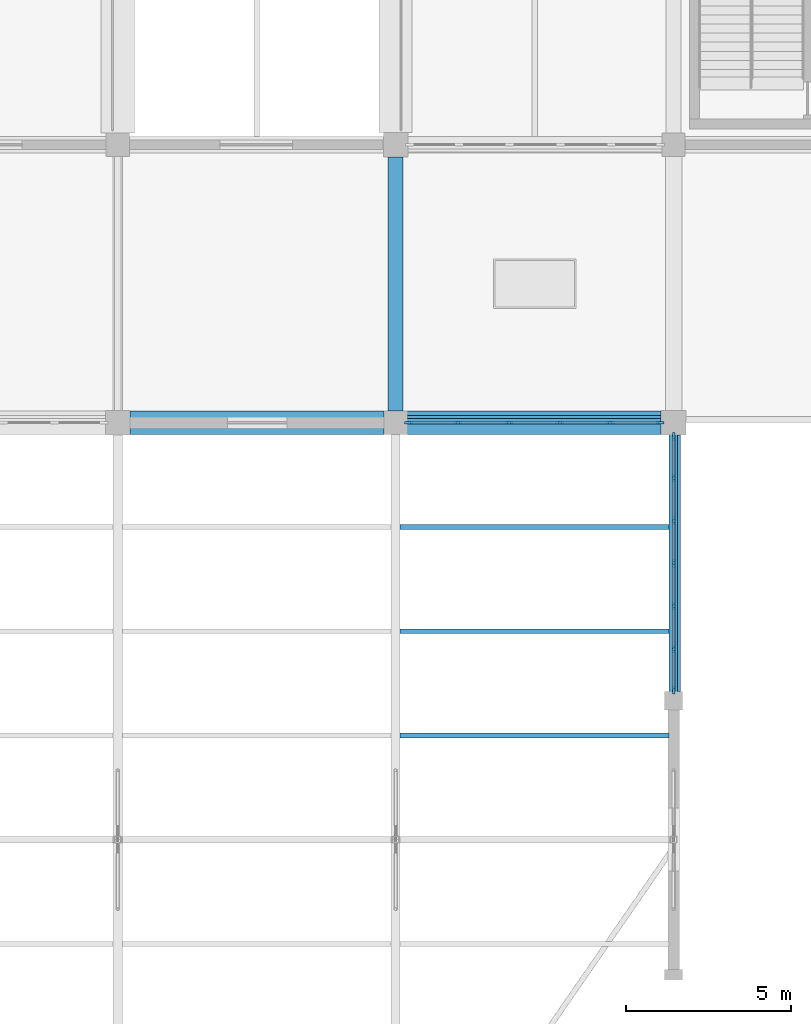
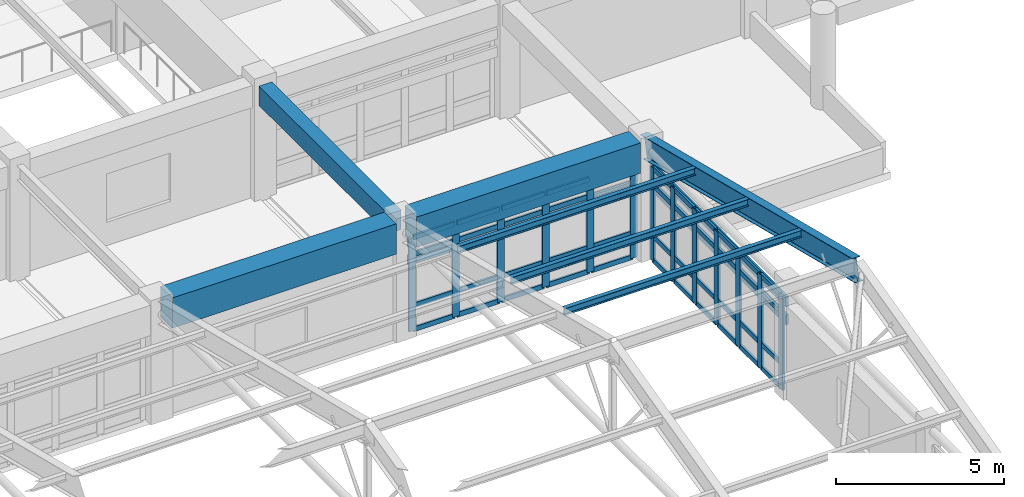
# One storey, part 18 of 99: 62 members, 4 beams, 2 elements without a shape of their own.
"""IFC4 building model written with IfcOpenShell, lengths in metres."""

import ifcopenshell
import ifcopenshell.guid

model = None  # the IFC model being written
_history = None  # IfcOwnerHistory: only IFC2X3 demands one
_inside = {}  # id of a spatial element -> (the spatial element, [elements in it])
_under = {}  # id of a project, library or spatial element -> (it, [spatial elements below it])
_declared = {}  # id of a project -> (the project, [libraries it declares])
_typed = {}  # id of a type object -> (the type object, [elements of that type])
_made_of = {}  # id of a material, layer set ... -> (it, [elements and type objects made of it])


def new_model(schema):
    """Start an empty IFC model of exactly this schema.

    Asked for "IFC4X3", IfcOpenShell would pick the latest addendum, in which some entities
    have other attributes; the version numbers below select the first issue.
    IFC2X3 requires an IfcOwnerHistory on every rooted entity: one is made here for all.
    """
    global model, _history
    if schema == "IFC4X3":
        model = ifcopenshell.file(schema_version=(4, 3, 0, 0))
    else:
        model = ifcopenshell.file(schema=schema)
    _inside.clear()
    _under.clear()
    _declared.clear()
    _typed.clear()
    _made_of.clear()
    _history = None
    if model.schema == "IFC2X3":
        org = make("IfcOrganization", Name="unknown")
        user = make(
            "IfcPersonAndOrganization",
            ThePerson=make("IfcPerson", FamilyName="unknown"),
            TheOrganization=org,
        )
        app = make(
            "IfcApplication",
            ApplicationDeveloper=org,
            Version="unknown",
            ApplicationFullName="unknown",
            ApplicationIdentifier="unknown",
        )
        _history = make(
            "IfcOwnerHistory",
            OwningUser=user,
            OwningApplication=app,
            ChangeAction="ADDED",
            CreationDate=0,
        )
    return model


def make(cls, **values):
    """One entity of the class cls with the attributes given. An attribute that is None is left unset."""
    return model.create_entity(
        cls, **{name: value for name, value in values.items() if value is not None}
    )


def rooted(cls, **values):
    """An entity with a GlobalId (a new one), such as an element, a storey or a relation."""
    return make(cls, GlobalId=ifcopenshell.guid.new(), OwnerHistory=_history, **values)


def si_unit(unit_type, name, prefix=None):
    """IfcSIUnit, for example si_unit("LENGTHUNIT", "METRE", prefix="MILLI")."""
    return make("IfcSIUnit", UnitType=unit_type, Prefix=prefix, Name=name)


def assignment(units):
    """IfcUnitAssignment: the units of a project."""
    return None if units is None else make("IfcUnitAssignment", Units=units)


def point(xyz):
    """IfcCartesianPoint."""
    return None if xyz is None else make("IfcCartesianPoint", Coordinates=xyz)


def direction(xyz):
    """IfcDirection."""
    return None if xyz is None else make("IfcDirection", DirectionRatios=xyz)


def frame(location, z_axis=None, x_axis=None):
    """IfcAxis2Placement3D, a coordinate frame: its origin and axes. An axis left out is left unset."""
    return make(
        "IfcAxis2Placement3D",
        Location=point(location),
        Axis=direction(z_axis),
        RefDirection=direction(x_axis),
    )


def frame_2d(location, x_axis=None):
    """IfcAxis2Placement2D, a coordinate frame in the plane: its origin and x axis."""
    return make(
        "IfcAxis2Placement2D", Location=point(location), RefDirection=direction(x_axis)
    )


def origin():
    """The frame at (0, 0, 0) with its axes left unset."""
    return frame((0.0, 0.0, 0.0))


def origin_2d():
    """The frame at (0, 0) in the plane with its x axis left unset."""
    return frame_2d((0.0, 0.0))


def place(relative_to, where):
    """IfcLocalPlacement: puts the frame where relative to a parent placement (None: the world)."""
    return make(
        "IfcLocalPlacement", PlacementRelTo=relative_to, RelativePlacement=where
    )


def context(
    kind, dimensions, precision=None, world=None, true_north=None, identifier=None
):
    """IfcGeometricRepresentationContext, for example the 3D "Model" context."""
    return make(
        "IfcGeometricRepresentationContext",
        ContextIdentifier=identifier,
        ContextType=kind,
        CoordinateSpaceDimension=dimensions,
        Precision=precision,
        WorldCoordinateSystem=world,
        TrueNorth=true_north,
    )


def subcontext(parent, identifier, kind, view, scale=None):
    """IfcGeometricRepresentationSubContext, for example "Body" below "Model"."""
    return make(
        "IfcGeometricRepresentationSubContext",
        ContextIdentifier=identifier,
        ContextType=kind,
        ParentContext=parent,
        TargetScale=scale,
        TargetView=view,
    )


def project(units=None, contexts=None):
    """IfcProject with its units and contexts."""
    return rooted(
        "IfcProject",
        Name="project",
        RepresentationContexts=contexts,
        UnitsInContext=assignment(units),
    )


def spatial(cls, under=None, at=None, **own):
    """A site, building, storey or space (cls), placed at a placement, below another one or the project."""
    s = rooted(cls, ObjectPlacement=at, **own)
    if under is not None:
        _under.setdefault(under.id(), (under, []))[1].append(s)
    return s


def profile(cls, at=None, kind="AREA", **sizes):
    """A parametric profile (cls). Its sizes go by their IFC names, for example OverallWidth=200.0."""
    return make(cls, ProfileType=kind, Position=at, **sizes)


def rectangle(**sizes):
    """IfcRectangleProfileDef."""
    return profile("IfcRectangleProfileDef", **sizes)


def i_section(**sizes):
    """IfcIShapeProfileDef."""
    return profile("IfcIShapeProfileDef", **sizes)


def extrude(swept, where, along, depth):
    """IfcExtrudedAreaSolid: the profile swept, set in the frame where, extruded along a direction by depth."""
    return make(
        "IfcExtrudedAreaSolid",
        SweptArea=swept,
        Position=where,
        ExtrudedDirection=direction(along),
        Depth=depth,
    )


def shape(context_of_items, identifier, shape_type, items):
    """IfcShapeRepresentation: the items that make up one representation, for example the "Body"."""
    return make(
        "IfcShapeRepresentation",
        ContextOfItems=context_of_items,
        RepresentationIdentifier=identifier,
        RepresentationType=shape_type,
        Items=items,
    )


def material(Name=None, Category=None):
    """IfcMaterial."""
    return make("IfcMaterial", Name=Name, Category=Category)


def layer(
    of_material, thickness, ventilated=None, Name=None, Category=None, Priority=None
):
    """IfcMaterialLayer: one layer of a wall or slab, of a material (None: an air gap)."""
    return make(
        "IfcMaterialLayer",
        Material=of_material,
        LayerThickness=thickness,
        IsVentilated=ventilated,
        Name=Name,
        Category=Category,
        Priority=Priority,
    )


def layer_set(layers, Name=None):
    """IfcMaterialLayerSet."""
    return make("IfcMaterialLayerSet", MaterialLayers=layers, LayerSetName=Name)


def material_profile(
    of_material, cross_section, Name=None, Category=None, Priority=None
):
    """IfcMaterialProfile: a cross section and its material."""
    return make(
        "IfcMaterialProfile",
        Name=Name,
        Material=of_material,
        Profile=cross_section,
        Priority=Priority,
        Category=Category,
    )


def profile_set(profiles, Name=None, composite=None):
    """IfcMaterialProfileSet."""
    return make(
        "IfcMaterialProfileSet",
        Name=Name,
        MaterialProfiles=profiles,
        CompositeProfile=composite,
    )


def made_of(thing, what):
    """Note that an element or type object is made of a material, layer set ...; save() writes the relation."""
    if what is not None:
        _made_of.setdefault(what.id(), (what, []))[1].append(thing)
    return thing


def type_object(cls, material=None, **own):
    """A type object (cls), such as IfcWallType, which elements share."""
    return made_of(rooted(cls, **own), material)


def element(
    cls,
    number,
    at=None,
    inside=None,
    cuts=None,
    type_object=None,
    material=None,
    context=None,
    identifier="Body",
    shape_type=None,
    held_by="IfcProductDefinitionShape",
    body=None,
    shapes=None,
    **own,
):
    """One element of the class cls, such as IfcWall. Its Tag is "e" and its number.

    at: its placement. inside: the storey or other place that contains it. cuts: it is an
    opening in that element (IfcRelVoidsElement). A single representation is given by context,
    identifier, shape_type and body (its items); several are given by shapes. held_by: the class
    of the entity that holds the representations. save() writes the other relations.
    """
    e = rooted(cls, Tag="e%d" % number, ObjectPlacement=at, **own)
    if body is not None:
        shapes = [shape(context, identifier, shape_type, body)]
    if shapes is not None:
        e.Representation = make(held_by, Representations=shapes)
    if inside is not None:
        _inside.setdefault(inside.id(), (inside, []))[1].append(e)
    if cuts is not None:
        rooted(
            "IfcRelVoidsElement", RelatingBuildingElement=cuts, RelatedOpeningElement=e
        )
    if type_object is not None:
        _typed.setdefault(type_object.id(), (type_object, []))[1].append(e)
    return made_of(e, material)


def aggregate(whole, parts):
    """IfcRelAggregates: a whole, such as a stair, and the parts it consists of."""
    return rooted("IfcRelAggregates", RelatingObject=whole, RelatedObjects=parts)


def save(model, path):
    """Write the relations noted so far, then the file.

    IfcRelAggregates (storeys below a building ...), IfcRelContainedInSpatialStructure (elements
    in a storey), IfcRelDefinesByType, IfcRelAssociatesMaterial and IfcRelDeclares: one each for
    every whole, place, type object, material and project.
    """
    for whole, parts in _under.values():
        aggregate(whole, parts)
    for where, things in _inside.values():
        rooted(
            "IfcRelContainedInSpatialStructure",
            RelatedElements=things,
            RelatingStructure=where,
        )
    for kind, things in _typed.values():
        rooted("IfcRelDefinesByType", RelatedObjects=things, RelatingType=kind)
    for what, things in _made_of.values():
        rooted("IfcRelAssociatesMaterial", RelatedObjects=things, RelatingMaterial=what)
    for by, libraries in _declared.values():
        rooted("IfcRelDeclares", RelatingContext=by, RelatedDefinitions=libraries)
    model.write(path)


model = new_model("IFC4")

# Units and contexts
model_context = context("Model", 3, precision=1e-05, world=origin(), true_north=direction((0.0, 1.0)))
body_context = subcontext(model_context, "Body", "Model", "MODEL_VIEW")
ifc_project = project(units=[si_unit("LENGTHUNIT", "METRE"), si_unit("AREAUNIT", "SQUARE_METRE"), si_unit("VOLUMEUNIT", "CUBIC_METRE"), si_unit("PLANEANGLEUNIT", "RADIAN"), si_unit("MASSUNIT", "GRAM", prefix="KILO")], contexts=[model_context])

# Site, building, storey
site_placement = place(None, origin())
site = spatial("IfcSite", under=ifc_project, at=site_placement, CompositionType="ELEMENT")
building_placement = place(site_placement, origin())
building = spatial("IfcBuilding", under=site, at=building_placement, Name="Porcellanite Civic Hall", CompositionType="ELEMENT")
storey_placement = place(building_placement, frame((0.0, 0.0, 5.760009765625)))
storey = spatial("IfcBuildingStorey", under=building, at=storey_placement, Name="L01", CompositionType="ELEMENT", Elevation=5.760009765625)

# Beam
ifc_material_1 = material(Name="Concrete N50 (50 MPa)", Category="concrete")
ifc_material_profile_1 = material_profile(ifc_material_1, rectangle(XDim=0.449951171875, YDim=0.699951171875, at=origin_2d()), Name="RC-450x700")
ifc_profile_set_1 = profile_set([ifc_material_profile_1], Name="Concrete N50 (50 MPa)")
beam_type_1 = type_object("IfcBeamType", Name="BM-RC700", PredefinedType="BEAM", material=ifc_profile_set_1)
beam_1_placement = place(storey_placement, frame((100.800048828125, 42.349609375, 3.85009765625), z_axis=(0.0, 1.0, 0.0), x_axis=(-1.0, 0.0, 0.0)))
element("IfcBeam", 1, at=beam_1_placement, inside=storey, type_object=beam_type_1, Name="Beam Y L01 13-6", PredefinedType="BEAM", context=body_context, shape_type="SweptSolid", body=[
    extrude(rectangle(XDim=0.449951171875, YDim=0.699951171875, at=origin_2d()), origin(), (0.0, 0.0, 1.0), 7.67578125),
])

# Curtain wall, members
ifc_material_2 = material(Name="Anodised aluminium and solar laminated glass", Category="aluminium")
ifc_layer = layer(ifc_material_2, 0.179931640625)
ifc_layer_set = layer_set([ifc_layer], Name="Anodised aluminium and solar laminated glass")
curtain_wall_type = type_object("IfcCurtainWallType", Name="CW-SYS01", PredefinedType="NOTDEFINED", material=ifc_layer_set)
curtain_wall_1_placement = place(storey_placement, origin())
curtain_wall_1 = element("IfcCurtainWall", 2, at=curtain_wall_1_placement, inside=storey, type_object=curtain_wall_type, Name="Curtain wall CW-100", PredefinedType="NOTDEFINED")
ifc_material_3 = material(Name="Anodised aluminium 6063-T6", Category="aluminium")
ifc_material_profile_2 = material_profile(ifc_material_3, rectangle(XDim=0.080078125, YDim=0.239990234375, at=origin_2d()), Name="AL-80x240")
ifc_profile_set_2 = profile_set([ifc_material_profile_2], Name="Anodised aluminium 6063-T6")
member_type_1 = type_object("IfcMemberType", Name="CWM-01", PredefinedType="MULLION", material=ifc_profile_set_2)
member_1_placement = place(storey_placement, frame((101.19091796875, 42.0, 0.0), z_axis=(0.0, 0.0, 1.0), x_axis=(0.0, 1.0, 0.0)))
member_1 = element("IfcMember", 3, at=member_1_placement, type_object=member_type_1, Name="CW-100 mullion 1", PredefinedType="MULLION", context=body_context, shape_type="SweptSolid", body=[
    extrude(rectangle(XDim=0.080078125, YDim=0.239990234375, at=origin_2d()), origin(), (0.0, 0.0, 1.0), 3.39990234375),
])
member_2_placement = place(storey_placement, frame((102.685546875, 42.0, 0.0), z_axis=(0.0, 0.0, 1.0), x_axis=(0.0, 1.0, 0.0)))
member_2 = element("IfcMember", 4, at=member_2_placement, type_object=member_type_1, Name="CW-100 mullion 2", PredefinedType="MULLION", context=body_context, shape_type="SweptSolid", body=[
    extrude(rectangle(XDim=0.080078125, YDim=0.239990234375, at=origin_2d()), origin(), (0.0, 0.0, 1.0), 3.39990234375),
])
member_3_placement = place(storey_placement, frame((104.22021484375, 42.0, 0.0), z_axis=(0.0, 0.0, 1.0), x_axis=(0.0, 1.0, 0.0)))
member_3 = element("IfcMember", 5, at=member_3_placement, type_object=member_type_1, Name="CW-100 mullion 3", PredefinedType="MULLION", context=body_context, shape_type="SweptSolid", body=[
    extrude(rectangle(XDim=0.080078125, YDim=0.239990234375, at=origin_2d()), origin(), (0.0, 0.0, 1.0), 3.39990234375),
])
member_4_placement = place(storey_placement, frame((105.7548828125, 42.0, 0.0), z_axis=(0.0, 0.0, 1.0), x_axis=(0.0, 1.0, 0.0)))
member_4 = element("IfcMember", 6, at=member_4_placement, type_object=member_type_1, Name="CW-100 mullion 4", PredefinedType="MULLION", context=body_context, shape_type="SweptSolid", body=[
    extrude(rectangle(XDim=0.080078125, YDim=0.239990234375, at=origin_2d()), origin(), (0.0, 0.0, 1.0), 3.39990234375),
])
member_5_placement = place(storey_placement, frame((107.289306640625, 42.0, 0.0), z_axis=(0.0, 0.0, 1.0), x_axis=(0.0, 1.0, 0.0)))
member_5 = element("IfcMember", 7, at=member_5_placement, type_object=member_type_1, Name="CW-100 mullion 5", PredefinedType="MULLION", context=body_context, shape_type="SweptSolid", body=[
    extrude(rectangle(XDim=0.080078125, YDim=0.239990234375, at=origin_2d()), origin(), (0.0, 0.0, 1.0), 3.39990234375),
])
member_6_placement = place(storey_placement, frame((108.783935546875, 42.0, 0.0), z_axis=(0.0, 0.0, 1.0), x_axis=(0.0, 1.0, 0.0)))
member_6 = element("IfcMember", 8, at=member_6_placement, type_object=member_type_1, Name="CW-100 mullion 6", PredefinedType="MULLION", context=body_context, shape_type="SweptSolid", body=[
    extrude(rectangle(XDim=0.080078125, YDim=0.239990234375, at=origin_2d()), origin(), (0.0, 0.0, 1.0), 3.39990234375),
])

curtain_wall_2_placement = place(storey_placement, origin())
curtain_wall_2 = element("IfcCurtainWall", 9, at=curtain_wall_2_placement, inside=storey, type_object=curtain_wall_type, Name="Curtain wall CW-101", PredefinedType="NOTDEFINED")
member_7_placement = place(storey_placement, frame((109.199951171875, 41.583984375, 0.0), z_axis=(0.0, 0.0, 1.0), x_axis=(1.0, 0.0, 0.0)))
member_7 = element("IfcMember", 10, at=member_7_placement, type_object=member_type_1, Name="CW-101 mullion 1", PredefinedType="MULLION", context=body_context, shape_type="SweptSolid", body=[
    extrude(rectangle(XDim=0.080078125, YDim=0.239990234375, at=origin_2d()), origin(), (0.0, 0.0, 1.0), 3.39990234375),
])
member_8_placement = place(storey_placement, frame((109.199951171875, 40.332763671875, 0.0), z_axis=(0.0, 0.0, 1.0), x_axis=(1.0, 0.0, 0.0)))
member_8 = element("IfcMember", 11, at=member_8_placement, type_object=member_type_1, Name="CW-101 mullion 2", PredefinedType="MULLION", context=body_context, shape_type="SweptSolid", body=[
    extrude(rectangle(XDim=0.080078125, YDim=0.239990234375, at=origin_2d()), origin(), (0.0, 0.0, 1.0), 3.39990234375),
])
member_9_placement = place(storey_placement, frame((109.199951171875, 39.041259765625, 0.0), z_axis=(0.0, 0.0, 1.0), x_axis=(1.0, 0.0, 0.0)))
member_9 = element("IfcMember", 12, at=member_9_placement, type_object=member_type_1, Name="CW-101 mullion 3", PredefinedType="MULLION", context=body_context, shape_type="SweptSolid", body=[
    extrude(rectangle(XDim=0.080078125, YDim=0.239990234375, at=origin_2d()), origin(), (0.0, 0.0, 1.0), 3.39990234375),
])
member_10_placement = place(storey_placement, frame((109.199951171875, 37.75, 0.0), z_axis=(0.0, 0.0, 1.0), x_axis=(1.0, 0.0, 0.0)))
member_10 = element("IfcMember", 13, at=member_10_placement, type_object=member_type_1, Name="CW-101 mullion 4", PredefinedType="MULLION", context=body_context, shape_type="SweptSolid", body=[
    extrude(rectangle(XDim=0.080078125, YDim=0.239990234375, at=origin_2d()), origin(), (0.0, 0.0, 1.0), 3.39990234375),
])
member_11_placement = place(storey_placement, frame((109.199951171875, 36.458740234375, 0.0), z_axis=(0.0, 0.0, 1.0), x_axis=(1.0, 0.0, 0.0)))
member_11 = element("IfcMember", 14, at=member_11_placement, type_object=member_type_1, Name="CW-101 mullion 5", PredefinedType="MULLION", context=body_context, shape_type="SweptSolid", body=[
    extrude(rectangle(XDim=0.080078125, YDim=0.239990234375, at=origin_2d()), origin(), (0.0, 0.0, 1.0), 3.39990234375),
])
member_12_placement = place(storey_placement, frame((109.199951171875, 35.167236328125, 0.0), z_axis=(0.0, 0.0, 1.0), x_axis=(1.0, 0.0, 0.0)))
member_12 = element("IfcMember", 15, at=member_12_placement, type_object=member_type_1, Name="CW-101 mullion 6", PredefinedType="MULLION", context=body_context, shape_type="SweptSolid", body=[
    extrude(rectangle(XDim=0.080078125, YDim=0.239990234375, at=origin_2d()), origin(), (0.0, 0.0, 1.0), 3.39990234375),
])
member_13_placement = place(storey_placement, frame((109.199951171875, 33.916015625, 0.0), z_axis=(0.0, 0.0, 1.0), x_axis=(1.0, 0.0, 0.0)))
member_13 = element("IfcMember", 16, at=member_13_placement, type_object=member_type_1, Name="CW-101 mullion 7", PredefinedType="MULLION", context=body_context, shape_type="SweptSolid", body=[
    extrude(rectangle(XDim=0.080078125, YDim=0.239990234375, at=origin_2d()), origin(), (0.0, 0.0, 1.0), 3.39990234375),
])

# Member
ifc_material_4 = material(Name="Anodised aluminium 6063-T6", Category="aluminium")
ifc_material_profile_3 = material_profile(ifc_material_4, rectangle(XDim=0.070068359375, YDim=0.175048828125, at=origin_2d()), Name="AL-70x175")
ifc_profile_set_3 = profile_set([ifc_material_profile_3], Name="Anodised aluminium 6063-T6")
member_type_2 = type_object("IfcMemberType", Name="CWT-01", PredefinedType="USERDEFINED", material=ifc_profile_set_3)
member_14_placement = place(storey_placement, frame((101.23095703125, 42.0, 0.034912109375), z_axis=(1.0, 0.0, 0.0), x_axis=(0.0, 1.0, 0.0)))
member_14 = element("IfcMember", 17, at=member_14_placement, type_object=member_type_2, Name="CW-100 transom 1.1", ObjectType="TRANSOM", PredefinedType="USERDEFINED", context=body_context, shape_type="SweptSolid", body=[
    extrude(rectangle(XDim=0.070068359375, YDim=0.175048828125, at=origin_2d()), origin(), (0.0, 0.0, 1.0), 1.41455078125),
])

member_15_placement = place(storey_placement, frame((101.23095703125, 42.0, 0.89990234375), z_axis=(1.0, 0.0, 0.0), x_axis=(0.0, 1.0, 0.0)))
member_15 = element("IfcMember", 18, at=member_15_placement, type_object=member_type_2, Name="CW-100 transom 1.2", ObjectType="TRANSOM", PredefinedType="USERDEFINED", context=body_context, shape_type="SweptSolid", body=[
    extrude(rectangle(XDim=0.070068359375, YDim=0.175048828125, at=origin_2d()), origin(), (0.0, 0.0, 1.0), 1.41455078125),
])

member_16_placement = place(storey_placement, frame((101.23095703125, 42.0, 2.75), z_axis=(1.0, 0.0, 0.0), x_axis=(0.0, 1.0, 0.0)))
member_16 = element("IfcMember", 19, at=member_16_placement, type_object=member_type_2, Name="CW-100 transom 1.3", ObjectType="TRANSOM", PredefinedType="USERDEFINED", context=body_context, shape_type="SweptSolid", body=[
    extrude(rectangle(XDim=0.070068359375, YDim=0.175048828125, at=origin_2d()), origin(), (0.0, 0.0, 1.0), 1.41455078125),
])

member_17_placement = place(storey_placement, frame((101.23095703125, 42.0, 3.364990234375), z_axis=(1.0, 0.0, 0.0), x_axis=(0.0, 1.0, 0.0)))
member_17 = element("IfcMember", 20, at=member_17_placement, type_object=member_type_2, Name="CW-100 transom 1.4", ObjectType="TRANSOM", PredefinedType="USERDEFINED", context=body_context, shape_type="SweptSolid", body=[
    extrude(rectangle(XDim=0.070068359375, YDim=0.175048828125, at=origin_2d()), origin(), (0.0, 0.0, 1.0), 1.41455078125),
])

member_18_placement = place(storey_placement, frame((102.7255859375, 42.0, 0.034912109375), z_axis=(1.0, 0.0, 0.0), x_axis=(0.0, 1.0, 0.0)))
member_18 = element("IfcMember", 21, at=member_18_placement, type_object=member_type_2, Name="CW-100 transom 2.1", ObjectType="TRANSOM", PredefinedType="USERDEFINED", context=body_context, shape_type="SweptSolid", body=[
    extrude(rectangle(XDim=0.070068359375, YDim=0.175048828125, at=origin_2d()), origin(), (0.0, 0.0, 1.0), 1.45458984375),
])

member_19_placement = place(storey_placement, frame((102.7255859375, 42.0, 0.89990234375), z_axis=(1.0, 0.0, 0.0), x_axis=(0.0, 1.0, 0.0)))
member_19 = element("IfcMember", 22, at=member_19_placement, type_object=member_type_2, Name="CW-100 transom 2.2", ObjectType="TRANSOM", PredefinedType="USERDEFINED", context=body_context, shape_type="SweptSolid", body=[
    extrude(rectangle(XDim=0.070068359375, YDim=0.175048828125, at=origin_2d()), origin(), (0.0, 0.0, 1.0), 1.45458984375),
])

member_20_placement = place(storey_placement, frame((102.7255859375, 42.0, 2.75), z_axis=(1.0, 0.0, 0.0), x_axis=(0.0, 1.0, 0.0)))
member_20 = element("IfcMember", 23, at=member_20_placement, type_object=member_type_2, Name="CW-100 transom 2.3", ObjectType="TRANSOM", PredefinedType="USERDEFINED", context=body_context, shape_type="SweptSolid", body=[
    extrude(rectangle(XDim=0.070068359375, YDim=0.175048828125, at=origin_2d()), origin(), (0.0, 0.0, 1.0), 1.45458984375),
])

member_21_placement = place(storey_placement, frame((102.7255859375, 42.0, 3.364990234375), z_axis=(1.0, 0.0, 0.0), x_axis=(0.0, 1.0, 0.0)))
member_21 = element("IfcMember", 24, at=member_21_placement, type_object=member_type_2, Name="CW-100 transom 2.4", ObjectType="TRANSOM", PredefinedType="USERDEFINED", context=body_context, shape_type="SweptSolid", body=[
    extrude(rectangle(XDim=0.070068359375, YDim=0.175048828125, at=origin_2d()), origin(), (0.0, 0.0, 1.0), 1.45458984375),
])

member_22_placement = place(storey_placement, frame((104.26025390625, 42.0, 0.034912109375), z_axis=(1.0, 0.0, 0.0), x_axis=(0.0, 1.0, 0.0)))
member_22 = element("IfcMember", 25, at=member_22_placement, type_object=member_type_2, Name="CW-100 transom 3.1", ObjectType="TRANSOM", PredefinedType="USERDEFINED", context=body_context, shape_type="SweptSolid", body=[
    extrude(rectangle(XDim=0.070068359375, YDim=0.175048828125, at=origin_2d()), origin(), (0.0, 0.0, 1.0), 1.45458984375),
])

member_23_placement = place(storey_placement, frame((104.26025390625, 42.0, 0.89990234375), z_axis=(1.0, 0.0, 0.0), x_axis=(0.0, 1.0, 0.0)))
member_23 = element("IfcMember", 26, at=member_23_placement, type_object=member_type_2, Name="CW-100 transom 3.2", ObjectType="TRANSOM", PredefinedType="USERDEFINED", context=body_context, shape_type="SweptSolid", body=[
    extrude(rectangle(XDim=0.070068359375, YDim=0.175048828125, at=origin_2d()), origin(), (0.0, 0.0, 1.0), 1.45458984375),
])

member_24_placement = place(storey_placement, frame((104.26025390625, 42.0, 2.75), z_axis=(1.0, 0.0, 0.0), x_axis=(0.0, 1.0, 0.0)))
member_24 = element("IfcMember", 27, at=member_24_placement, type_object=member_type_2, Name="CW-100 transom 3.3", ObjectType="TRANSOM", PredefinedType="USERDEFINED", context=body_context, shape_type="SweptSolid", body=[
    extrude(rectangle(XDim=0.070068359375, YDim=0.175048828125, at=origin_2d()), origin(), (0.0, 0.0, 1.0), 1.45458984375),
])

member_25_placement = place(storey_placement, frame((104.26025390625, 42.0, 3.364990234375), z_axis=(1.0, 0.0, 0.0), x_axis=(0.0, 1.0, 0.0)))
member_25 = element("IfcMember", 28, at=member_25_placement, type_object=member_type_2, Name="CW-100 transom 3.4", ObjectType="TRANSOM", PredefinedType="USERDEFINED", context=body_context, shape_type="SweptSolid", body=[
    extrude(rectangle(XDim=0.070068359375, YDim=0.175048828125, at=origin_2d()), origin(), (0.0, 0.0, 1.0), 1.45458984375),
])

member_26_placement = place(storey_placement, frame((105.794921875, 42.0, 0.034912109375), z_axis=(1.0, 0.0, 0.0), x_axis=(0.0, 1.0, 0.0)))
member_26 = element("IfcMember", 29, at=member_26_placement, type_object=member_type_2, Name="CW-100 transom 4.1", ObjectType="TRANSOM", PredefinedType="USERDEFINED", context=body_context, shape_type="SweptSolid", body=[
    extrude(rectangle(XDim=0.070068359375, YDim=0.175048828125, at=origin_2d()), origin(), (0.0, 0.0, 1.0), 1.45458984375),
])

member_27_placement = place(storey_placement, frame((105.794921875, 42.0, 0.89990234375), z_axis=(1.0, 0.0, 0.0), x_axis=(0.0, 1.0, 0.0)))
member_27 = element("IfcMember", 30, at=member_27_placement, type_object=member_type_2, Name="CW-100 transom 4.2", ObjectType="TRANSOM", PredefinedType="USERDEFINED", context=body_context, shape_type="SweptSolid", body=[
    extrude(rectangle(XDim=0.070068359375, YDim=0.175048828125, at=origin_2d()), origin(), (0.0, 0.0, 1.0), 1.45458984375),
])

member_28_placement = place(storey_placement, frame((105.794921875, 42.0, 2.75), z_axis=(1.0, 0.0, 0.0), x_axis=(0.0, 1.0, 0.0)))
member_28 = element("IfcMember", 31, at=member_28_placement, type_object=member_type_2, Name="CW-100 transom 4.3", ObjectType="TRANSOM", PredefinedType="USERDEFINED", context=body_context, shape_type="SweptSolid", body=[
    extrude(rectangle(XDim=0.070068359375, YDim=0.175048828125, at=origin_2d()), origin(), (0.0, 0.0, 1.0), 1.45458984375),
])

member_29_placement = place(storey_placement, frame((105.794921875, 42.0, 3.364990234375), z_axis=(1.0, 0.0, 0.0), x_axis=(0.0, 1.0, 0.0)))
member_29 = element("IfcMember", 32, at=member_29_placement, type_object=member_type_2, Name="CW-100 transom 4.4", ObjectType="TRANSOM", PredefinedType="USERDEFINED", context=body_context, shape_type="SweptSolid", body=[
    extrude(rectangle(XDim=0.070068359375, YDim=0.175048828125, at=origin_2d()), origin(), (0.0, 0.0, 1.0), 1.45458984375),
])

member_30_placement = place(storey_placement, frame((107.329345703125, 42.0, 0.034912109375), z_axis=(1.0, 0.0, 0.0), x_axis=(0.0, 1.0, 0.0)))
member_30 = element("IfcMember", 33, at=member_30_placement, type_object=member_type_2, Name="CW-100 transom 5.1", ObjectType="TRANSOM", PredefinedType="USERDEFINED", context=body_context, shape_type="SweptSolid", body=[
    extrude(rectangle(XDim=0.070068359375, YDim=0.175048828125, at=origin_2d()), origin(), (0.0, 0.0, 1.0), 1.41455078125),
])

member_31_placement = place(storey_placement, frame((107.329345703125, 42.0, 0.89990234375), z_axis=(1.0, 0.0, 0.0), x_axis=(0.0, 1.0, 0.0)))
member_31 = element("IfcMember", 34, at=member_31_placement, type_object=member_type_2, Name="CW-100 transom 5.2", ObjectType="TRANSOM", PredefinedType="USERDEFINED", context=body_context, shape_type="SweptSolid", body=[
    extrude(rectangle(XDim=0.070068359375, YDim=0.175048828125, at=origin_2d()), origin(), (0.0, 0.0, 1.0), 1.41455078125),
])

aggregate(curtain_wall_1, [member_1, member_2, member_3, member_4, member_5, member_6, member_14, member_15, member_16, member_17, member_18, member_19, member_20, member_21, member_22, member_23, member_24, member_25, member_26, member_27, member_28, member_29, member_30, member_31])

member_32_placement = place(storey_placement, frame((109.199951171875, 41.5439453125, 0.034912109375), z_axis=(0.0, -1.0, 0.0), x_axis=(1.0, 0.0, 0.0)))
member_32 = element("IfcMember", 35, at=member_32_placement, type_object=member_type_2, Name="CW-101 transom 1.1", ObjectType="TRANSOM", PredefinedType="USERDEFINED", context=body_context, shape_type="SweptSolid", body=[
    extrude(rectangle(XDim=0.070068359375, YDim=0.175048828125, at=origin_2d()), origin(), (0.0, 0.0, 1.0), 1.17138671875),
])

member_33_placement = place(storey_placement, frame((109.199951171875, 41.5439453125, 0.89990234375), z_axis=(0.0, -1.0, 0.0), x_axis=(1.0, 0.0, 0.0)))
member_33 = element("IfcMember", 36, at=member_33_placement, type_object=member_type_2, Name="CW-101 transom 1.2", ObjectType="TRANSOM", PredefinedType="USERDEFINED", context=body_context, shape_type="SweptSolid", body=[
    extrude(rectangle(XDim=0.070068359375, YDim=0.175048828125, at=origin_2d()), origin(), (0.0, 0.0, 1.0), 1.17138671875),
])

member_34_placement = place(storey_placement, frame((109.199951171875, 41.5439453125, 2.75), z_axis=(0.0, -1.0, 0.0), x_axis=(1.0, 0.0, 0.0)))
member_34 = element("IfcMember", 37, at=member_34_placement, type_object=member_type_2, Name="CW-101 transom 1.3", ObjectType="TRANSOM", PredefinedType="USERDEFINED", context=body_context, shape_type="SweptSolid", body=[
    extrude(rectangle(XDim=0.070068359375, YDim=0.175048828125, at=origin_2d()), origin(), (0.0, 0.0, 1.0), 1.17138671875),
])

member_35_placement = place(storey_placement, frame((109.199951171875, 41.5439453125, 3.364990234375), z_axis=(0.0, -1.0, 0.0), x_axis=(1.0, 0.0, 0.0)))
member_35 = element("IfcMember", 38, at=member_35_placement, type_object=member_type_2, Name="CW-101 transom 1.4", ObjectType="TRANSOM", PredefinedType="USERDEFINED", context=body_context, shape_type="SweptSolid", body=[
    extrude(rectangle(XDim=0.070068359375, YDim=0.175048828125, at=origin_2d()), origin(), (0.0, 0.0, 1.0), 1.17138671875),
])

member_36_placement = place(storey_placement, frame((109.199951171875, 40.292724609375, 0.034912109375), z_axis=(0.0, -1.0, 0.0), x_axis=(1.0, 0.0, 0.0)))
member_36 = element("IfcMember", 39, at=member_36_placement, type_object=member_type_2, Name="CW-101 transom 2.1", ObjectType="TRANSOM", PredefinedType="USERDEFINED", context=body_context, shape_type="SweptSolid", body=[
    extrude(rectangle(XDim=0.070068359375, YDim=0.175048828125, at=origin_2d()), origin(), (0.0, 0.0, 1.0), 1.21142578125),
])

member_37_placement = place(storey_placement, frame((109.199951171875, 40.292724609375, 0.89990234375), z_axis=(0.0, -1.0, 0.0), x_axis=(1.0, 0.0, 0.0)))
member_37 = element("IfcMember", 40, at=member_37_placement, type_object=member_type_2, Name="CW-101 transom 2.2", ObjectType="TRANSOM", PredefinedType="USERDEFINED", context=body_context, shape_type="SweptSolid", body=[
    extrude(rectangle(XDim=0.070068359375, YDim=0.175048828125, at=origin_2d()), origin(), (0.0, 0.0, 1.0), 1.21142578125),
])

member_38_placement = place(storey_placement, frame((109.199951171875, 40.292724609375, 2.75), z_axis=(0.0, -1.0, 0.0), x_axis=(1.0, 0.0, 0.0)))
member_38 = element("IfcMember", 41, at=member_38_placement, type_object=member_type_2, Name="CW-101 transom 2.3", ObjectType="TRANSOM", PredefinedType="USERDEFINED", context=body_context, shape_type="SweptSolid", body=[
    extrude(rectangle(XDim=0.070068359375, YDim=0.175048828125, at=origin_2d()), origin(), (0.0, 0.0, 1.0), 1.21142578125),
])

member_39_placement = place(storey_placement, frame((109.199951171875, 40.292724609375, 3.364990234375), z_axis=(0.0, -1.0, 0.0), x_axis=(1.0, 0.0, 0.0)))
member_39 = element("IfcMember", 42, at=member_39_placement, type_object=member_type_2, Name="CW-101 transom 2.4", ObjectType="TRANSOM", PredefinedType="USERDEFINED", context=body_context, shape_type="SweptSolid", body=[
    extrude(rectangle(XDim=0.070068359375, YDim=0.175048828125, at=origin_2d()), origin(), (0.0, 0.0, 1.0), 1.21142578125),
])

member_40_placement = place(storey_placement, frame((109.199951171875, 39.001220703125, 0.034912109375), z_axis=(0.0, -1.0, 0.0), x_axis=(1.0, 0.0, 0.0)))
member_40 = element("IfcMember", 43, at=member_40_placement, type_object=member_type_2, Name="CW-101 transom 3.1", ObjectType="TRANSOM", PredefinedType="USERDEFINED", context=body_context, shape_type="SweptSolid", body=[
    extrude(rectangle(XDim=0.070068359375, YDim=0.175048828125, at=origin_2d()), origin(), (0.0, 0.0, 1.0), 1.211181640625),
])

member_41_placement = place(storey_placement, frame((109.199951171875, 39.001220703125, 0.89990234375), z_axis=(0.0, -1.0, 0.0), x_axis=(1.0, 0.0, 0.0)))
member_41 = element("IfcMember", 44, at=member_41_placement, type_object=member_type_2, Name="CW-101 transom 3.2", ObjectType="TRANSOM", PredefinedType="USERDEFINED", context=body_context, shape_type="SweptSolid", body=[
    extrude(rectangle(XDim=0.070068359375, YDim=0.175048828125, at=origin_2d()), origin(), (0.0, 0.0, 1.0), 1.211181640625),
])

member_42_placement = place(storey_placement, frame((109.199951171875, 39.001220703125, 2.75), z_axis=(0.0, -1.0, 0.0), x_axis=(1.0, 0.0, 0.0)))
member_42 = element("IfcMember", 45, at=member_42_placement, type_object=member_type_2, Name="CW-101 transom 3.3", ObjectType="TRANSOM", PredefinedType="USERDEFINED", context=body_context, shape_type="SweptSolid", body=[
    extrude(rectangle(XDim=0.070068359375, YDim=0.175048828125, at=origin_2d()), origin(), (0.0, 0.0, 1.0), 1.211181640625),
])

member_43_placement = place(storey_placement, frame((109.199951171875, 39.001220703125, 3.364990234375), z_axis=(0.0, -1.0, 0.0), x_axis=(1.0, 0.0, 0.0)))
member_43 = element("IfcMember", 46, at=member_43_placement, type_object=member_type_2, Name="CW-101 transom 3.4", ObjectType="TRANSOM", PredefinedType="USERDEFINED", context=body_context, shape_type="SweptSolid", body=[
    extrude(rectangle(XDim=0.070068359375, YDim=0.175048828125, at=origin_2d()), origin(), (0.0, 0.0, 1.0), 1.211181640625),
])

member_44_placement = place(storey_placement, frame((109.199951171875, 37.7099609375, 0.034912109375), z_axis=(0.0, -1.0, 0.0), x_axis=(1.0, 0.0, 0.0)))
member_44 = element("IfcMember", 47, at=member_44_placement, type_object=member_type_2, Name="CW-101 transom 4.1", ObjectType="TRANSOM", PredefinedType="USERDEFINED", context=body_context, shape_type="SweptSolid", body=[
    extrude(rectangle(XDim=0.070068359375, YDim=0.175048828125, at=origin_2d()), origin(), (0.0, 0.0, 1.0), 1.211181640625),
])

member_45_placement = place(storey_placement, frame((109.199951171875, 37.7099609375, 0.89990234375), z_axis=(0.0, -1.0, 0.0), x_axis=(1.0, 0.0, 0.0)))
member_45 = element("IfcMember", 48, at=member_45_placement, type_object=member_type_2, Name="CW-101 transom 4.2", ObjectType="TRANSOM", PredefinedType="USERDEFINED", context=body_context, shape_type="SweptSolid", body=[
    extrude(rectangle(XDim=0.070068359375, YDim=0.175048828125, at=origin_2d()), origin(), (0.0, 0.0, 1.0), 1.211181640625),
])

member_46_placement = place(storey_placement, frame((109.199951171875, 37.7099609375, 2.75), z_axis=(0.0, -1.0, 0.0), x_axis=(1.0, 0.0, 0.0)))
member_46 = element("IfcMember", 49, at=member_46_placement, type_object=member_type_2, Name="CW-101 transom 4.3", ObjectType="TRANSOM", PredefinedType="USERDEFINED", context=body_context, shape_type="SweptSolid", body=[
    extrude(rectangle(XDim=0.070068359375, YDim=0.175048828125, at=origin_2d()), origin(), (0.0, 0.0, 1.0), 1.211181640625),
])

member_47_placement = place(storey_placement, frame((109.199951171875, 37.7099609375, 3.364990234375), z_axis=(0.0, -1.0, 0.0), x_axis=(1.0, 0.0, 0.0)))
member_47 = element("IfcMember", 50, at=member_47_placement, type_object=member_type_2, Name="CW-101 transom 4.4", ObjectType="TRANSOM", PredefinedType="USERDEFINED", context=body_context, shape_type="SweptSolid", body=[
    extrude(rectangle(XDim=0.070068359375, YDim=0.175048828125, at=origin_2d()), origin(), (0.0, 0.0, 1.0), 1.211181640625),
])

member_48_placement = place(storey_placement, frame((109.199951171875, 36.418701171875, 0.034912109375), z_axis=(0.0, -1.0, 0.0), x_axis=(1.0, 0.0, 0.0)))
member_48 = element("IfcMember", 51, at=member_48_placement, type_object=member_type_2, Name="CW-101 transom 5.1", ObjectType="TRANSOM", PredefinedType="USERDEFINED", context=body_context, shape_type="SweptSolid", body=[
    extrude(rectangle(XDim=0.070068359375, YDim=0.175048828125, at=origin_2d()), origin(), (0.0, 0.0, 1.0), 1.21142578125),
])

member_49_placement = place(storey_placement, frame((109.199951171875, 36.418701171875, 0.89990234375), z_axis=(0.0, -1.0, 0.0), x_axis=(1.0, 0.0, 0.0)))
member_49 = element("IfcMember", 52, at=member_49_placement, type_object=member_type_2, Name="CW-101 transom 5.2", ObjectType="TRANSOM", PredefinedType="USERDEFINED", context=body_context, shape_type="SweptSolid", body=[
    extrude(rectangle(XDim=0.070068359375, YDim=0.175048828125, at=origin_2d()), origin(), (0.0, 0.0, 1.0), 1.21142578125),
])

member_50_placement = place(storey_placement, frame((109.199951171875, 36.418701171875, 2.75), z_axis=(0.0, -1.0, 0.0), x_axis=(1.0, 0.0, 0.0)))
member_50 = element("IfcMember", 53, at=member_50_placement, type_object=member_type_2, Name="CW-101 transom 5.3", ObjectType="TRANSOM", PredefinedType="USERDEFINED", context=body_context, shape_type="SweptSolid", body=[
    extrude(rectangle(XDim=0.070068359375, YDim=0.175048828125, at=origin_2d()), origin(), (0.0, 0.0, 1.0), 1.21142578125),
])

member_51_placement = place(storey_placement, frame((109.199951171875, 36.418701171875, 3.364990234375), z_axis=(0.0, -1.0, 0.0), x_axis=(1.0, 0.0, 0.0)))
member_51 = element("IfcMember", 54, at=member_51_placement, type_object=member_type_2, Name="CW-101 transom 5.4", ObjectType="TRANSOM", PredefinedType="USERDEFINED", context=body_context, shape_type="SweptSolid", body=[
    extrude(rectangle(XDim=0.070068359375, YDim=0.175048828125, at=origin_2d()), origin(), (0.0, 0.0, 1.0), 1.21142578125),
])

member_52_placement = place(storey_placement, frame((109.199951171875, 35.12744140625, 0.034912109375), z_axis=(0.0, -1.0, 0.0), x_axis=(1.0, 0.0, 0.0)))
member_52 = element("IfcMember", 55, at=member_52_placement, type_object=member_type_2, Name="CW-101 transom 6.1", ObjectType="TRANSOM", PredefinedType="USERDEFINED", context=body_context, shape_type="SweptSolid", body=[
    extrude(rectangle(XDim=0.070068359375, YDim=0.175048828125, at=origin_2d()), origin(), (0.0, 0.0, 1.0), 1.17138671875),
])

member_53_placement = place(storey_placement, frame((109.199951171875, 35.12744140625, 0.89990234375), z_axis=(0.0, -1.0, 0.0), x_axis=(1.0, 0.0, 0.0)))
member_53 = element("IfcMember", 56, at=member_53_placement, type_object=member_type_2, Name="CW-101 transom 6.2", ObjectType="TRANSOM", PredefinedType="USERDEFINED", context=body_context, shape_type="SweptSolid", body=[
    extrude(rectangle(XDim=0.070068359375, YDim=0.175048828125, at=origin_2d()), origin(), (0.0, 0.0, 1.0), 1.17138671875),
])

member_54_placement = place(storey_placement, frame((109.199951171875, 35.12744140625, 2.75), z_axis=(0.0, -1.0, 0.0), x_axis=(1.0, 0.0, 0.0)))
member_54 = element("IfcMember", 57, at=member_54_placement, type_object=member_type_2, Name="CW-101 transom 6.3", ObjectType="TRANSOM", PredefinedType="USERDEFINED", context=body_context, shape_type="SweptSolid", body=[
    extrude(rectangle(XDim=0.070068359375, YDim=0.175048828125, at=origin_2d()), origin(), (0.0, 0.0, 1.0), 1.17138671875),
])

member_55_placement = place(storey_placement, frame((109.199951171875, 35.12744140625, 3.364990234375), z_axis=(0.0, -1.0, 0.0), x_axis=(1.0, 0.0, 0.0)))
member_55 = element("IfcMember", 58, at=member_55_placement, type_object=member_type_2, Name="CW-101 transom 6.4", ObjectType="TRANSOM", PredefinedType="USERDEFINED", context=body_context, shape_type="SweptSolid", body=[
    extrude(rectangle(XDim=0.070068359375, YDim=0.175048828125, at=origin_2d()), origin(), (0.0, 0.0, 1.0), 1.17138671875),
])

aggregate(curtain_wall_2, [member_7, member_8, member_9, member_10, member_11, member_12, member_13, member_32, member_33, member_34, member_35, member_36, member_37, member_38, member_39, member_40, member_41, member_42, member_43, member_44, member_45, member_46, member_47, member_48, member_49, member_50, member_51, member_52, member_53, member_54, member_55])

# Beams
ifc_material_5 = material(Name="Concrete N50 (50 MPa)", Category="concrete")
ifc_material_profile_4 = material_profile(ifc_material_5, rectangle(XDim=0.699951171875, YDim=1.10009765625, at=origin_2d()), Name="RC-700x1100")
ifc_profile_set_4 = profile_set([ifc_material_profile_4], Name="Concrete N50 (50 MPa)")
beam_type_2 = type_object("IfcBeamType", Name="EB-CH2", PredefinedType="BEAM", material=ifc_profile_set_4)
for number, where, z_axis, x_axis, name in (
    (59, (92.7744140625, 42.0, 3.780029296875), (1.0, 0.0, 0.0), (0.0, 1.0, 0.0), "Public Hall edge beam 5 11"),
    (60, (101.1494140625, 42.0, 3.780029296875), (1.0, 0.0, 0.0), (0.0, 1.0, 0.0), "Public Hall edge beam 5 12"),
):
    element("IfcBeam", number, at=place(storey_placement, frame(where, z_axis=z_axis, x_axis=x_axis)), inside=storey, type_object=beam_type_2, Name=name, PredefinedType="BEAM", context=body_context, shape_type="SweptSolid", body=[
        extrude(rectangle(XDim=0.699951171875, YDim=1.10009765625, at=origin_2d()), origin(), (0.0, 0.0, 1.0), 7.676025390625),
    ])

# Members
ifc_material_6 = material(Name="Fluoropolymer bauxite-red aluminium 6063-T6", Category="aluminium")
ifc_material_profile_5 = material_profile(ifc_material_6, rectangle(XDim=0.090087890625, YDim=0.360107421875, at=origin_2d()), Name="AL-90x360")
ifc_profile_set_5 = profile_set([ifc_material_profile_5], Name="Fluoropolymer bauxite-red aluminium 6063-T6")
member_type_3 = type_object("IfcMemberType", Name="LV-BLD01", PredefinedType="USERDEFINED", material=ifc_profile_set_5)
for number, where, z_axis, x_axis, name in (
    (61, (101.1494140625, 42.1669921875, 3.10009765625), (1.0, 0.0, 0.0), (0.0, 1.0, 0.0), "Cyclone sunshade louvre L01 N 12-4 1"),
    (62, (101.1494140625, 42.1669921875, 2.449951171875), (1.0, 0.0, 0.0), (0.0, 1.0, 0.0), "Cyclone sunshade louvre L01 N 12-4 2"),
):
    element("IfcMember", number, at=place(storey_placement, frame(where, z_axis=z_axis, x_axis=x_axis)), inside=storey, type_object=member_type_3, Name=name, ObjectType="LOUVRE BLADE", PredefinedType="USERDEFINED", context=body_context, shape_type="SweptSolid", body=[
        extrude(rectangle(XDim=0.090087890625, YDim=0.360107421875, at=origin_2d()), origin(), (0.0, 0.0, 1.0), 7.676025390625),
    ])
for number, where, z_axis, x_axis, name in (
    (63, (109.366943359375, 41.62548828125, 3.10009765625), (0.0, -1.0, 0.0), (1.0, 0.0, 0.0), "Cyclone sunshade louvre L01 E 12-4 1"),
    (64, (109.366943359375, 41.62548828125, 2.449951171875), (0.0, -1.0, 0.0), (1.0, 0.0, 0.0), "Cyclone sunshade louvre L01 E 12-4 2"),
):
    element("IfcMember", number, at=place(storey_placement, frame(where, z_axis=z_axis, x_axis=x_axis)), inside=storey, type_object=member_type_3, Name=name, ObjectType="LOUVRE BLADE", PredefinedType="USERDEFINED", context=body_context, shape_type="SweptSolid", body=[
        extrude(rectangle(XDim=0.090087890625, YDim=0.360107421875, at=origin_2d()), origin(), (0.0, 0.0, 1.0), 7.7509765625),
    ])
ifc_material_7 = material(Name="Steel Grade 350", Category="steel")
ifc_material_profile_6 = material_profile(ifc_material_7, i_section(OverallWidth=0.14599609375, OverallDepth=0.251953125, WebThickness=0.006103515625, FlangeThickness=0.008544921875, FilletRadius=0.0087890625, at=origin_2d()), Name="250UB31.4")
ifc_profile_set_6 = profile_set([ifc_material_profile_6], Name="Steel Grade 350")
member_type_4 = type_object("IfcMemberType", Name="PUR-250UB31", PredefinedType="PURLIN", material=ifc_profile_set_6)
for number, where, z_axis, x_axis, name in (
    (65, (100.93701171875, 32.550048828125, 6.52099609375), (1.0, 0.0, 0.0), (0.0, 1.0, 0.0), "Public Hall purlin 12 32.5"),
    (66, (100.93701171875, 35.699951171875, 5.735595703125), (1.0, 0.0, 0.0), (0.0, 1.0, 0.0), "Public Hall purlin 12 35.7"),
    (67, (100.93701171875, 38.85009765625, 4.9501953125), (1.0, 0.0, 0.0), (0.0, 1.0, 0.0), "Public Hall purlin 12 38.9"),
):
    element("IfcMember", number, at=place(storey_placement, frame(where, z_axis=z_axis, x_axis=x_axis)), inside=storey, type_object=member_type_4, Name=name, PredefinedType="PURLIN", context=body_context, shape_type="SweptSolid", body=[
        extrude(i_section(OverallWidth=0.14599609375, OverallDepth=0.251953125, WebThickness=0.006103515625, FlangeThickness=0.008544921875, FilletRadius=0.0087890625, at=origin_2d()), origin(), (0.0, 0.0, 1.0), 8.1259765625),
    ])

# Beam
ifc_material_8 = material(Name="Steel Grade 350", Category="steel")
ifc_material_profile_7 = material_profile(ifc_material_8, i_section(OverallWidth=0.27490234375, OverallDepth=0.800048828125, WebThickness=0.010009765625, FlangeThickness=0.01611328125, FilletRadius=0.013916015625, at=origin_2d()), Name="800WB146")
ifc_profile_set_7 = profile_set([ifc_material_profile_7], Name="Steel Grade 350")
beam_type_3 = type_object("IfcBeamType", Name="RAF-800WB", PredefinedType="BEAM", material=ifc_profile_set_7)
beam_2_placement = place(storey_placement, frame((109.199951171875, 29.39990234375, 7.036376953125), z_axis=(0.0, 0.970294924077, -0.241925113021), x_axis=(-1.0, 0.0, 0.0)))
element("IfcBeam", 68, at=beam_2_placement, inside=storey, type_object=beam_type_3, Name="Public Hall north rafter 13", PredefinedType="BEAM", context=body_context, shape_type="SweptSolid", body=[
    extrude(i_section(OverallWidth=0.27490234375, OverallDepth=0.800048828125, WebThickness=0.010009765625, FlangeThickness=0.01611328125, FilletRadius=0.013916015625, at=origin_2d()), origin(), (0.0, 0.0, 1.0), 12.98583984375),
])

save(model, "model.ifc")
